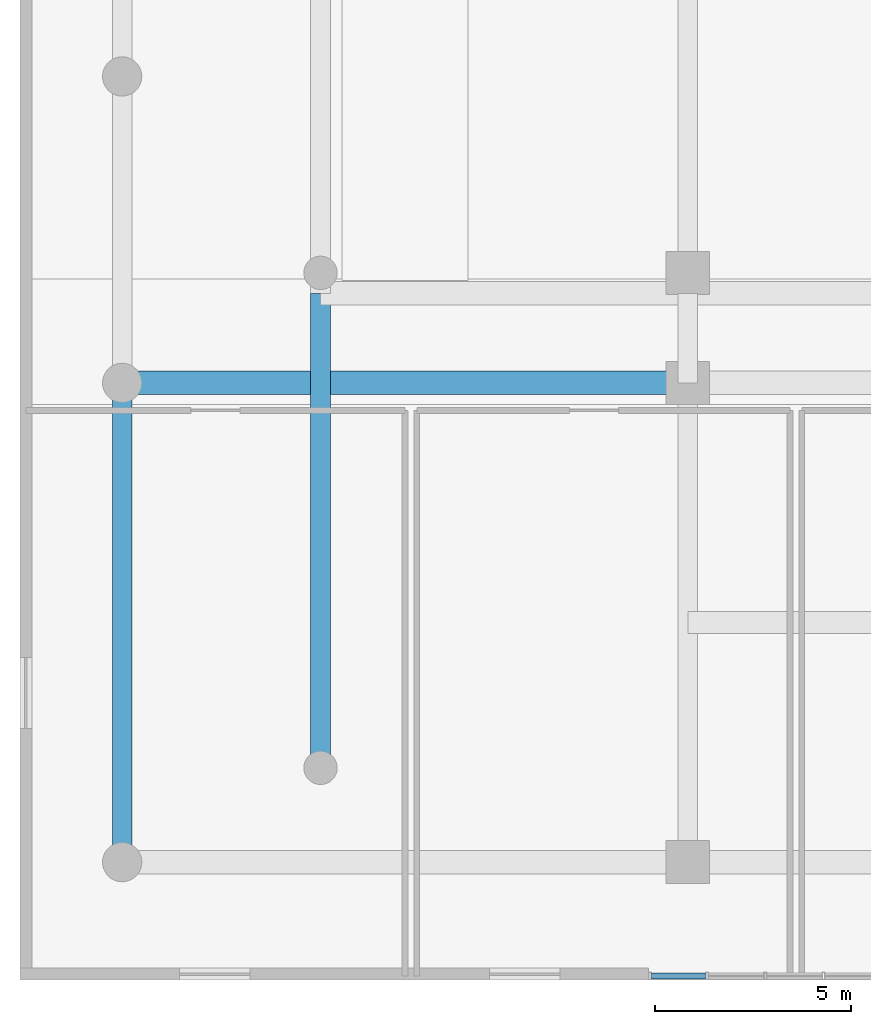
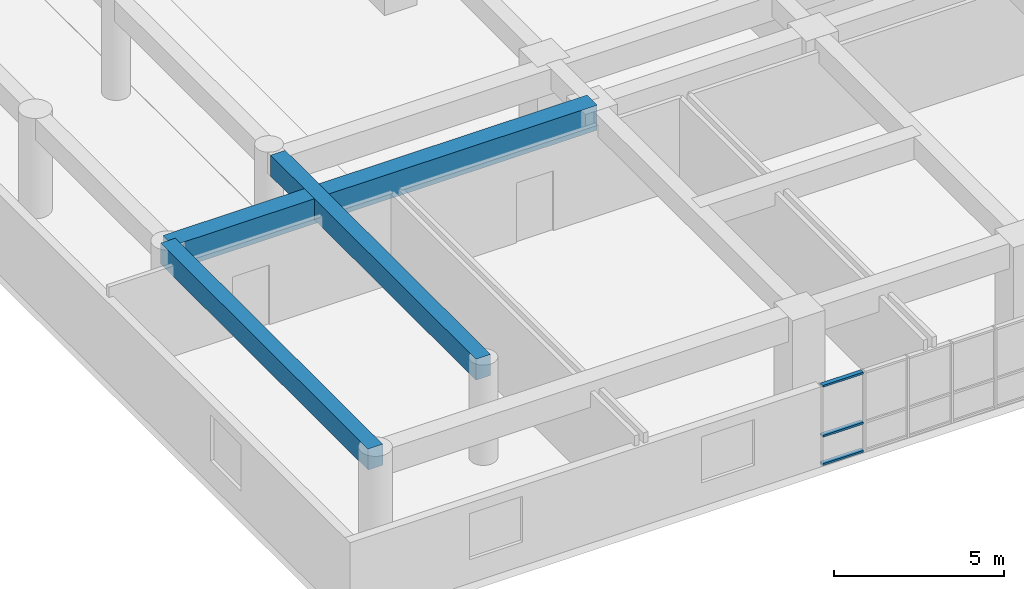
# One storey, part 3 of 30: 3 beams, 3 members, 1 element without a shape of its own.
"""IFC4 building model written with IfcOpenShell, lengths in metres."""

from ifc_helpers import new_model, si_unit, direction, frame, origin, origin_2d, place, context, subcontext, project, spatial, rectangle, hollow_rectangle, extrude, source, transform, mapped, material, layer, layer_set, material_profile, profile_set, type_object, element, aggregate, save


model = new_model("IFC4")

# Units and contexts
model_context = context("Model", 3, precision=1e-05, world=origin(), true_north=direction((0.0, 1.0)))
body_context = subcontext(model_context, "Body", "Model", "MODEL_VIEW")
ifc_project = project(units=[si_unit("LENGTHUNIT", "METRE"), si_unit("AREAUNIT", "SQUARE_METRE"), si_unit("VOLUMEUNIT", "CUBIC_METRE"), si_unit("PLANEANGLEUNIT", "RADIAN"), si_unit("MASSUNIT", "GRAM", prefix="KILO")], contexts=[model_context])

# Site, building, storey
site_placement = place(None, origin())
site = spatial("IfcSite", under=ifc_project, at=site_placement, CompositionType="ELEMENT")
building_placement = place(site_placement, origin())
building = spatial("IfcBuilding", under=site, at=building_placement, Name="Saelheon Loggia Tower", CompositionType="ELEMENT")
storey_placement = place(building_placement, frame((0.0, 0.0, 11.39990234375)))
storey = spatial("IfcBuildingStorey", under=building, at=storey_placement, Name="L03", CompositionType="ELEMENT", Elevation=11.39990234375)

# Beams
ifc_material_1 = material(Name="Concrete C50/60", Category="concrete")
ifc_material_profile_1 = material_profile(ifc_material_1, rectangle(XDim=0.60009765625, YDim=0.89990234375, at=origin_2d()), Name="RC-600x900")
ifc_profile_set_1 = profile_set([ifc_material_profile_1], Name="Concrete C50/60")
beam_type_1 = type_object("IfcBeamType", Name="Beam_MainGirder_RC600x900", PredefinedType="BEAM", material=ifc_profile_set_1)
shared_shape_1 = source(origin(), body_context, "Body", "SweptSolid", [
    extrude(rectangle(XDim=0.60009765625, YDim=0.89990234375, at=origin_2d()), origin(), (0.0, 0.0, 1.0), 14.39990234375),
])
beam_1_placement = place(storey_placement, frame((2.60009765625, 15.199951171875, 3.150146484375), z_axis=(1.0, 0.0, 0.0), x_axis=(0.0, 1.0, 0.0)))
element("IfcBeam", 1, at=beam_1_placement, inside=storey, type_object=beam_type_1, Name="BM-L03-EW-15-1", PredefinedType="BEAM", context=body_context, shape_type="MappedRepresentation", body=[
    mapped(shared_shape_1, transform((0.0, 0.0, 0.0), scale=1.0)),
])
ifc_material_2 = material(Name="Concrete C45/55", Category="concrete")
ifc_material_profile_2 = material_profile(ifc_material_2, rectangle(XDim=0.5, YDim=0.75, at=origin_2d()), Name="RC-500x750")
ifc_profile_set_2 = profile_set([ifc_material_profile_2], Name="Concrete C45/55")
beam_type_2 = type_object("IfcBeamType", Name="Beam_PerimGirder_RC500x750", PredefinedType="BEAM", material=ifc_profile_set_2)
shared_shape_2 = source(origin(), body_context, "Body", "SweptSolid", [
    extrude(rectangle(XDim=0.5, YDim=0.75, at=origin_2d()), origin(), (0.0, 0.0, 1.0), 12.199951171875),
])
beam_2_placement = place(storey_placement, frame((2.60009765625, 3.0, 3.22509765625), z_axis=(0.0, 1.0, 0.0), x_axis=(-1.0, 0.0, 0.0)))
element("IfcBeam", 2, at=beam_2_placement, inside=storey, type_object=beam_type_2, Name="BM-L03-NS-2-1", PredefinedType="BEAM", context=body_context, shape_type="MappedRepresentation", body=[
    mapped(shared_shape_2, transform((0.0, 0.0, 0.0), scale=1.0)),
])
ifc_material_profile_3 = material_profile(ifc_material_2, rectangle(XDim=0.5, YDim=0.75, at=origin_2d()), Name="RC-500x750")
ifc_profile_set_3 = profile_set([ifc_material_profile_3], Name="Concrete C45/55")
beam_type_3 = type_object("IfcBeamType", Name="Beam_FloorGirder_RC500x750", PredefinedType="BEAM", material=ifc_profile_set_3)
shared_shape_3 = source(origin(), body_context, "Body", "SweptSolid", [
    extrude(rectangle(XDim=0.5, YDim=0.75, at=origin_2d()), origin(), (0.0, 0.0, 1.0), 12.080078125),
])
beam_3_placement = place(storey_placement, frame((7.64990234375, 5.39990234375, 3.22509765625), z_axis=(0.0, 1.0, 0.0), x_axis=(-1.0, 0.0, 0.0)))
element("IfcBeam", 3, at=beam_3_placement, inside=storey, type_object=beam_type_3, Name="BM-L03-NS-7-1", PredefinedType="BEAM", context=body_context, shape_type="MappedRepresentation", body=[
    mapped(shared_shape_3, transform((0.0, 0.0, 0.0), scale=1.0)),
])

# Curtain wall, members
ifc_material_3 = material(Name="Aluminium 6063-T6 and Low-E IGU", Category="aluminium")
ifc_layer = layer(ifc_material_3, 0.179931640625)
ifc_layer_set = layer_set([ifc_layer], Name="Aluminium 6063-T6 and Low-E IGU")
curtain_wall_type = type_object("IfcCurtainWallType", Name="CW_PodiumClinic", PredefinedType="NOTDEFINED", material=ifc_layer_set)
curtain_wall_placement = place(storey_placement, origin())
curtain_wall = element("IfcCurtainWall", 4, at=curtain_wall_placement, inside=storey, type_object=curtain_wall_type, Name="L03 South Clinic Curtain Wall 1", PredefinedType="NOTDEFINED")
ifc_material_4 = material(Name="Anodised Aluminium 6063-T6", Category="aluminium")
ifc_material_profile_4 = material_profile(ifc_material_4, hollow_rectangle(XDim=0.070068359375, YDim=0.14990234375, WallThickness=0.0048828125, at=origin_2d()), Name="RHS-150x70x5")
ifc_profile_set_4 = profile_set([ifc_material_profile_4], Name="Anodised Aluminium 6063-T6")
member_type = type_object("IfcMemberType", Name="CW_PodiumClinic_Transom", PredefinedType="USERDEFINED", material=ifc_profile_set_4)
shared_shape_4 = source(origin(), body_context, "Body", "SweptSolid", [
    extrude(hollow_rectangle(XDim=0.070068359375, YDim=0.14990234375, WallThickness=0.0048828125, at=origin_2d()), origin(), (0.0, 0.0, 1.0), 1.3798828125),
])
member_1_placement = place(storey_placement, frame((16.070068359375, 0.10009765625, 0.03515625), z_axis=(1.0, 0.0, 0.0), x_axis=(0.0, 0.0, 1.0)))
member_1 = element("IfcMember", 5, at=member_1_placement, type_object=member_type, Name="CW1 transom 1.1", ObjectType="TRANSOM", PredefinedType="USERDEFINED", context=body_context, shape_type="MappedRepresentation", body=[
    mapped(shared_shape_4, transform((0.0, 0.0, 0.0), scale=1.0)),
])
member_2_placement = place(storey_placement, frame((16.070068359375, 0.10009765625, 1.050048828125), z_axis=(1.0, 0.0, 0.0), x_axis=(0.0, 0.0, 1.0)))
member_2 = element("IfcMember", 6, at=member_2_placement, type_object=member_type, Name="CW1 transom 1.2", ObjectType="TRANSOM", PredefinedType="USERDEFINED", context=body_context, shape_type="MappedRepresentation", body=[
    mapped(shared_shape_4, transform((0.0, 0.0, 0.0), scale=1.0)),
])
member_3_placement = place(storey_placement, frame((16.070068359375, 0.10009765625, 2.84521484375), z_axis=(1.0, 0.0, 0.0), x_axis=(0.0, 0.0, 1.0)))
member_3 = element("IfcMember", 7, at=member_3_placement, type_object=member_type, Name="CW1 transom 1.3", ObjectType="TRANSOM", PredefinedType="USERDEFINED", context=body_context, shape_type="MappedRepresentation", body=[
    mapped(shared_shape_4, transform((0.0, 0.0, 0.0), scale=1.0)),
])
aggregate(curtain_wall, [member_1, member_2, member_3])

save(model, "model.ifc")
